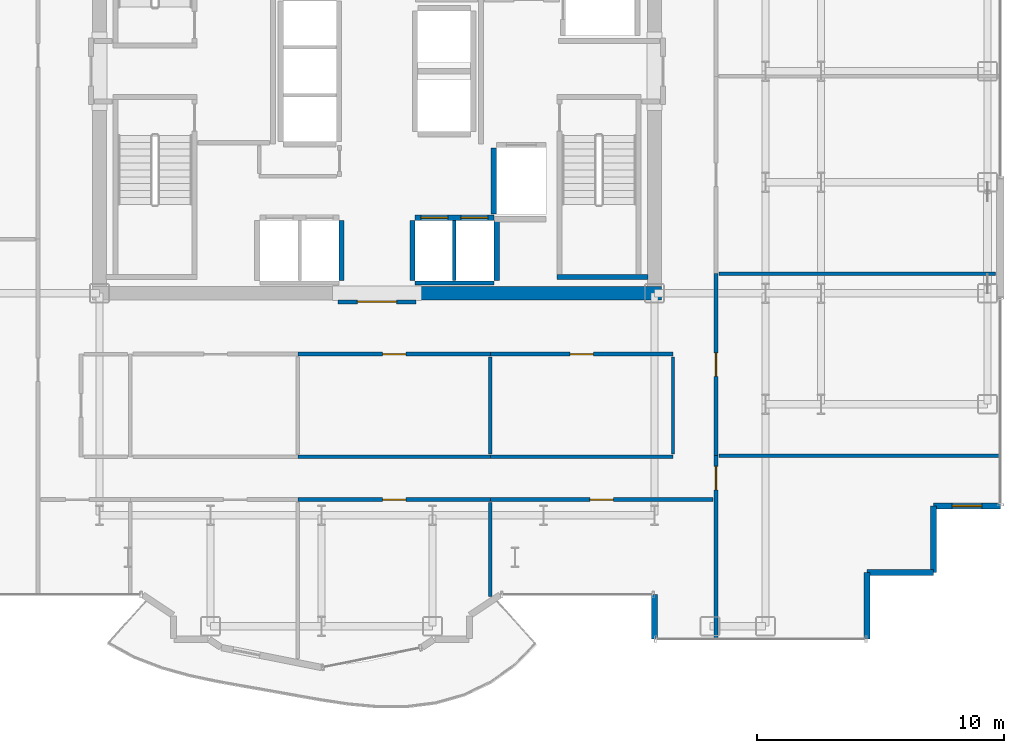
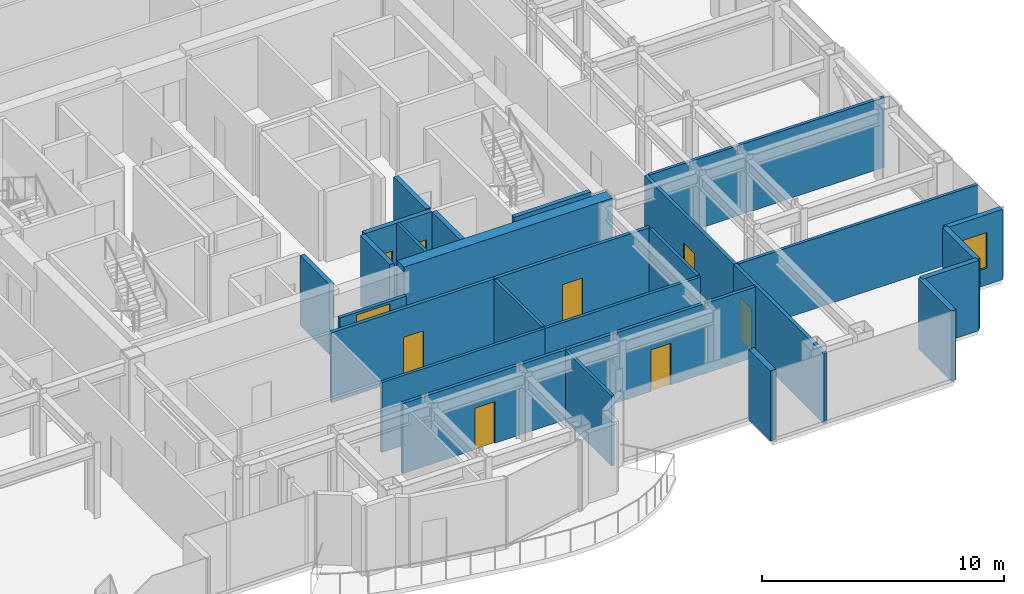
# One storey, part 20 of 25: 28 walls, 9 doors, 1 window, 10 openings.
"""IFC4 building model written with IfcOpenShell, lengths in metres."""

from ifc_helpers import new_model, si_unit, direction, frame, frame_2d, origin, place, context, subcontext, project, spatial, rectangle, extrude, source, transform, mapped, material, layer, layer_set, type_object, element, fill, save


model = new_model("IFC4")

# Units and contexts
model_context = context("Model", 3, precision=1e-05, world=origin(), true_north=direction((0.0, 1.0)))
body_context = subcontext(model_context, "Body", "Model", "MODEL_VIEW")
ifc_project = project(units=[si_unit("LENGTHUNIT", "METRE"), si_unit("AREAUNIT", "SQUARE_METRE"), si_unit("VOLUMEUNIT", "CUBIC_METRE"), si_unit("PLANEANGLEUNIT", "RADIAN"), si_unit("MASSUNIT", "GRAM", prefix="KILO")], contexts=[model_context])

# Site, building, storey
site_placement = place(None, origin())
site = spatial("IfcSite", under=ifc_project, at=site_placement, CompositionType="ELEMENT")
building_placement = place(site_placement, origin())
building = spatial("IfcBuilding", under=site, at=building_placement, Name="Nefas-Gora Pilgrimage Tower", CompositionType="ELEMENT")
storey_placement = place(building_placement, frame((0.0, 0.0, 194.39990234375)))
storey = spatial("IfcBuildingStorey", under=building, at=storey_placement, Name="L48", CompositionType="ELEMENT", Elevation=194.39990234375)

# Walls
ifc_material_1 = material(Name="Concrete C60/75", Category="concrete")
ifc_layer_1 = layer(ifc_material_1, 0.550048828125)
ifc_layer_set_1 = layer_set([ifc_layer_1], Name="Concrete C60/75")
wall_type_1 = type_object("IfcWallType", Name="SW-CORE-550", PredefinedType="SHEAR", material=ifc_layer_set_1)
shared_shape_1 = source(origin(), body_context, "Body", "SweptSolid", [
    extrude(rectangle(XDim=9.974853515625, YDim=0.550048828125, at=frame_2d((4.9873046875, 0.0))), origin(), (0.0, 0.0, 1.0), 3.800048828125),
])
wall_1_placement = place(storey_placement, frame((1.550048828125, -9.0, 0.0), z_axis=(0.0, 0.0, 1.0), x_axis=(1.0, 0.0, 0.0)))
element("IfcWall", 1, at=wall_1_placement, inside=storey, type_object=wall_type_1, Name="L48 Core Shear Wall S-East", PredefinedType="SHEAR", context=body_context, shape_type="MappedRepresentation", body=[
    mapped(shared_shape_1, transform((0.0, 0.0, 0.0), x_axis=(1.0, 0.0, 0.0), y_axis=(0.0, 1.0, 0.0), z_axis=(0.0, 0.0, 1.0), scale=1.0)),
])
ifc_material_2 = material(Name="Precast concrete C40/50", Category="concrete")
ifc_layer_2 = layer(ifc_material_2, 0.260009765625)
ifc_layer_set_2 = layer_set([ifc_layer_2], Name="Precast concrete C40/50")
wall_type_2 = type_object("IfcWallType", Name="EW-PORTAL-260", PredefinedType="SOLIDWALL", material=ifc_layer_set_2)
shared_shape_2 = source(origin(), body_context, "Body", "SweptSolid", [
    extrude(rectangle(XDim=1.800048828125, YDim=0.260009765625, at=frame_2d((0.89990234375, 0.0))), origin(), (0.0, 0.0, 1.0), 3.550048828125),
])
wall_2_placement = place(storey_placement, frame((11.25, -21.219970703125, 0.0), z_axis=(0.0, 0.0, 1.0), x_axis=(0.0, -1.0, 0.0)))
element("IfcWall", 2, at=wall_2_placement, inside=storey, type_object=wall_type_2, Name="L48 Lobe Shoulder Precast Spandrel Pier 5", PredefinedType="SOLIDWALL", context=body_context, shape_type="MappedRepresentation", body=[
    mapped(shared_shape_2, transform((0.0, 0.0, 0.0), x_axis=(1.0, 0.0, 0.0), y_axis=(0.0, 1.0, 0.0), z_axis=(0.0, 0.0, 1.0), scale=1.0)),
])
ifc_material_3 = material(Name="Precast concrete C45/55", Category="concrete")
ifc_layer_3 = layer(ifc_material_3, 0.239990234375)
ifc_layer_set_3 = layer_set([ifc_layer_3], Name="Precast concrete C45/55")
wall_type_3 = type_object("IfcWallType", Name="EW-SERR-240", PredefinedType="SHEAR", material=ifc_layer_set_3)
shared_shape_3 = source(origin(), body_context, "Body", "SweptSolid", [
    extrude(rectangle(XDim=2.699951171875, YDim=0.239990234375, at=frame_2d((1.35009765625, 0.0))), origin(), (0.0, 0.0, 1.0), 3.550048828125),
])
for number, where, z_axis, x_axis, name in (
    (3, (19.8701171875, -23.02001953125, 0.0), (0.0, 0.0, 1.0), (0.0, 1.0, 0.0), "L48 Serrated Corner Shear Pier Wall 6"),
    (4, (19.8701171875, -20.320068359375, 0.0), (0.0, 0.0, 1.0), (1.0, 0.0, 0.0), "L48 Serrated Corner Shear Pier Wall 7"),
    (5, (22.570068359375, -20.320068359375, 0.0), (0.0, 0.0, 1.0), (0.0, 1.0, 0.0), "L48 Serrated Corner Shear Pier Wall 8"),
):
    element("IfcWall", number, at=place(storey_placement, frame(where, z_axis=z_axis, x_axis=x_axis)), inside=storey, type_object=wall_type_3, Name=name, PredefinedType="SHEAR", context=body_context, shape_type="MappedRepresentation", body=[
        mapped(shared_shape_3, transform((0.0, 0.0, 0.0), x_axis=(1.0, 0.0, 0.0), y_axis=(0.0, 1.0, 0.0), z_axis=(0.0, 0.0, 1.0), scale=1.0)),
    ])

# Wall, opening, window
wall_3_placement = place(storey_placement, frame((22.570068359375, -17.6201171875, 0.0), z_axis=(0.0, 0.0, 1.0), x_axis=(1.0, 0.0, 0.0)))
wall_3 = element("IfcWall", 6, at=wall_3_placement, inside=storey, type_object=wall_type_3, Name="L48 Serrated Corner Shear Pier Wall 9", PredefinedType="SHEAR", context=body_context, shape_type="MappedRepresentation", body=[
    mapped(shared_shape_3, transform((0.0, 0.0, 0.0), x_axis=(1.0, 0.0, 0.0), y_axis=(0.0, 1.0, 0.0), z_axis=(0.0, 0.0, 1.0), scale=1.0)),
])
opening_1_placement = place(wall_3_placement, frame((0.75, 0.0, 0.85009765625)))
opening_1 = element("IfcOpeningElement", 7, at=opening_1_placement, cuts=wall_3, Name="Opening W-V1", PredefinedType="OPENING", context=body_context, shape_type="SweptSolid", body=[
    extrude(rectangle(XDim=1.199951171875, YDim=1.800048828125, at=frame_2d((0.60009765625, 0.89990234375))), frame((0.0, 0.1298828125, 0.0), z_axis=(0.0, -1.0, 0.0), x_axis=(1.0, 0.0, 0.0)), (0.0, 0.0, 1.0), 0.260009765625),
])
ifc_material_4 = material(Name="Dark ceramic-fritted operable aluminium-glass window", Category="aluminium")
window_type = type_object("IfcWindowType", Name="WIN-VENT-1200x1800", PartitioningType="SINGLE_PANEL", PredefinedType="WINDOW", material=ifc_material_4)
shared_shape_4 = source(origin(), body_context, "Body", "SweptSolid", [
    extrude(rectangle(XDim=1.199951171875, YDim=1.800048828125, at=frame_2d((0.60009765625, 0.89990234375))), frame((0.0, 0.030029296875, 0.0), z_axis=(0.0, -1.0, 0.0), x_axis=(1.0, 0.0, 0.0)), (0.0, 0.0, 1.0), 0.06005859375),
])
window_placement = place(opening_1_placement, origin())
window = element("IfcWindow", 8, at=window_placement, inside=storey, type_object=window_type, Name="L48 Operable Parallel-Outswing Window 9", OverallHeight=1.800048828125, OverallWidth=1.199951171875, PartitioningType="SINGLE_PANEL", PredefinedType="WINDOW", context=body_context, shape_type="MappedRepresentation", body=[
    mapped(shared_shape_4, transform((0.0, 0.0, 0.0), x_axis=(1.0, 0.0, 0.0), y_axis=(0.0, 1.0, 0.0), z_axis=(0.0, 0.0, 1.0), scale=1.0)),
])
fill(opening_1, window)

# Walls
ifc_material_5 = material(Name="Concrete C45/55", Category="concrete")
ifc_layer_4 = layer(ifc_material_5, 0.199951171875)
ifc_layer_set_4 = layer_set([ifc_layer_4], Name="Concrete C45/55")
wall_type_4 = type_object("IfcWallType", Name="IW-STAIR-200", PredefinedType="SOLIDWALL", material=ifc_layer_set_4)
shared_shape_5 = source(origin(), body_context, "Body", "SweptSolid", [
    extrude(rectangle(XDim=3.679931640625, YDim=0.199951171875, at=frame_2d((1.83984375, 0.0))), origin(), (0.0, 0.0, 1.0), 3.800048828125),
])
wall_4_placement = place(storey_placement, frame((7.300048828125, -8.35009765625, 0.0), z_axis=(0.0, 0.0, 1.0), x_axis=(1.0, 0.0, 0.0)))
element("IfcWall", 9, at=wall_4_placement, inside=storey, type_object=wall_type_4, Name="L48 Stairwell Shear Wall ST-02-far", PredefinedType="SOLIDWALL", context=body_context, shape_type="MappedRepresentation", body=[
    mapped(shared_shape_5, transform((0.0, 0.0, 0.0), x_axis=(1.0, 0.0, 0.0), y_axis=(0.0, 1.0, 0.0), z_axis=(0.0, 0.0, 1.0), scale=1.0)),
])
ifc_material_6 = material(Name="Gypsum acoustic stud partition")
ifc_layer_5 = layer(ifc_material_6, 0.159912109375)
ifc_layer_set_5 = layer_set([ifc_layer_5], Name="Gypsum acoustic stud partition")
wall_type_5 = type_object("IfcWallType", Name="IW-CORR-160", PredefinedType="PARTITIONING", material=ifc_layer_set_5)
shared_shape_6 = source(origin(), body_context, "Body", "SweptSolid", [
    extrude(rectangle(XDim=3.199951171875, YDim=0.159912109375, at=frame_2d((1.60009765625, 0.0))), origin(), (0.0, 0.0, 1.0), 2.425048828125),
])
wall_5_placement = place(storey_placement, frame((1.550048828125, -8.580078125, 0.0), z_axis=(0.0, 0.0, 1.0), x_axis=(1.0, 0.0, 0.0)))
element("IfcWall", 10, at=wall_5_placement, inside=storey, type_object=wall_type_5, Name="L48 Hoistway Wall PL2-E-S", PredefinedType="PARTITIONING", context=body_context, shape_type="MappedRepresentation", body=[
    mapped(shared_shape_6, transform((0.0, 0.0, 0.0), x_axis=(1.0, 0.0, 0.0), y_axis=(0.0, 1.0, 0.0), z_axis=(0.0, 0.0, 1.0), scale=1.0)),
])
ifc_material_7 = material(Name="Concrete C40/50", Category="concrete")
ifc_layer_6 = layer(ifc_material_7, 0.219970703125)
ifc_layer_set_6 = layer_set([ifc_layer_6], Name="Concrete C40/50")
wall_type_6 = type_object("IfcWallType", Name="IW-SHAFT-220", PredefinedType="SOLIDWALL", material=ifc_layer_set_6)
shared_shape_7 = source(origin(), body_context, "Body", "SweptSolid", [
    extrude(rectangle(XDim=2.679931640625, YDim=0.219970703125, at=frame_2d((1.33984375, 0.0))), origin(), (0.0, 0.0, 1.0), 3.53515625),
])
wall_6_placement = place(storey_placement, frame((4.739990234375, -3.110107421875, 0.0), z_axis=(0.0, 0.0, 1.0), x_axis=(0.0, -1.0, 0.0)))
element("IfcWall", 11, at=wall_6_placement, inside=storey, type_object=wall_type_6, Name="L48 Hoistway Wall FFL-02-W", PredefinedType="SOLIDWALL", context=body_context, shape_type="MappedRepresentation", body=[
    mapped(shared_shape_7, transform((0.0, 0.0, 0.0), x_axis=(1.0, 0.0, 0.0), y_axis=(0.0, 1.0, 0.0), z_axis=(0.0, 0.0, 1.0), scale=1.0)),
])

# Wall, openings, doors
shared_shape_8 = source(origin(), body_context, "Body", "SweptSolid", [
    extrude(rectangle(XDim=3.199951171875, YDim=0.219970703125, at=frame_2d((1.60009765625, 0.0))), origin(), (0.0, 0.0, 1.0), 3.53515625),
])
wall_7_placement = place(storey_placement, frame((4.75, -5.93994140625, 0.0), z_axis=(0.0, 0.0, 1.0), x_axis=(-1.0, 0.0, 0.0)))
wall_7 = element("IfcWall", 12, at=wall_7_placement, inside=storey, type_object=wall_type_6, Name="L48 Hoistway Wall PL2-E-N", PredefinedType="SOLIDWALL", context=body_context, shape_type="MappedRepresentation", body=[
    mapped(shared_shape_8, transform((0.0, 0.0, 0.0), x_axis=(1.0, 0.0, 0.0), y_axis=(0.0, 1.0, 0.0), z_axis=(0.0, 0.0, 1.0), scale=1.0)),
])
opening_2_placement = place(wall_7_placement, frame((1.875, 0.0, 0.0)))
opening_2 = element("IfcOpeningElement", 13, at=opening_2_placement, cuts=wall_7, Name="Opening LD-01", PredefinedType="OPENING", context=body_context, shape_type="SweptSolid", body=[
    extrude(rectangle(XDim=1.10009765625, YDim=2.199951171875, at=frame_2d((0.550048828125, 1.10009765625))), frame((0.0, 0.119873046875, 0.0), z_axis=(0.0, -1.0, 0.0), x_axis=(1.0, 0.0, 0.0)), (0.0, 0.0, 1.0), 0.239990234375),
])
opening_3_placement = place(wall_7_placement, frame((0.25, 0.0, 0.0)))
opening_3 = element("IfcOpeningElement", 14, at=opening_3_placement, cuts=wall_7, Name="Opening LD-01", PredefinedType="OPENING", context=body_context, shape_type="SweptSolid", body=[
    extrude(rectangle(XDim=1.10009765625, YDim=2.199951171875, at=frame_2d((0.550048828125, 1.10009765625))), frame((0.0, 0.119873046875, 0.0), z_axis=(0.0, -1.0, 0.0), x_axis=(1.0, 0.0, 0.0)), (0.0, 0.0, 1.0), 0.239990234375),
])
ifc_material_8 = material(Name="Brushed stainless sliding lift landing door")
door_type_1 = type_object("IfcDoorType", Name="DR-LIFT-PASS-1100", OperationType="DOUBLE_DOOR_SLIDING", PredefinedType="DOOR", material=ifc_material_8)
shared_shape_9 = source(origin(), body_context, "Body", "SweptSolid", [
    extrude(rectangle(XDim=1.10009765625, YDim=2.199951171875, at=frame_2d((0.550048828125, 1.10009765625))), frame((0.0, 0.02490234375, 0.0), z_axis=(0.0, -1.0, 0.0), x_axis=(1.0, 0.0, 0.0)), (0.0, 0.0, 1.0), 0.050048828125),
])
door_1_placement = place(opening_2_placement, origin())
door_1 = element("IfcDoor", 15, at=door_1_placement, inside=storey, type_object=door_type_1, Name="L48 Sliding Lift Landing Door PL2-03", OperationType="DOUBLE_DOOR_SLIDING", OverallHeight=2.199951171875, OverallWidth=1.10009765625, PredefinedType="DOOR", context=body_context, shape_type="MappedRepresentation", body=[
    mapped(shared_shape_9, transform((0.0, 0.0, 0.0), x_axis=(1.0, 0.0, 0.0), y_axis=(0.0, 1.0, 0.0), z_axis=(0.0, 0.0, 1.0), scale=1.0)),
])
fill(opening_2, door_1)
door_2_placement = place(opening_3_placement, origin())
door_2 = element("IfcDoor", 16, at=door_2_placement, inside=storey, type_object=door_type_1, Name="L48 Sliding Lift Landing Door PL2-04", OperationType="DOUBLE_DOOR_SLIDING", OverallHeight=2.199951171875, OverallWidth=1.10009765625, PredefinedType="DOOR", context=body_context, shape_type="MappedRepresentation", body=[
    mapped(shared_shape_9, transform((0.0, 0.0, 0.0), x_axis=(1.0, 0.0, 0.0), y_axis=(0.0, 1.0, 0.0), z_axis=(0.0, 0.0, 1.0), scale=1.0)),
])
fill(opening_3, door_2)

# Walls
shared_shape_10 = source(origin(), body_context, "Body", "SweptSolid", [
    extrude(rectangle(XDim=2.429931640625, YDim=0.219970703125, at=frame_2d((1.21484375, 0.0))), origin(), (0.0, 0.0, 1.0), 3.53515625),
])
for number, where, z_axis, x_axis, name in (
    (17, (-1.43994140625, -8.489990234375, 0.0), (0.0, 0.0, 1.0), (0.0, 1.0, 0.0), "L48 Hoistway Wall PL2-W-E"),
    (18, (1.43994140625, -6.06005859375, 0.0), (0.0, 0.0, 1.0), (0.0, -1.0, 0.0), "L48 Hoistway Wall PL2-E-W"),
    (19, (4.860107421875, -8.489990234375, 0.0), (0.0, 0.0, 1.0), (0.0, 1.0, 0.0), "L48 Hoistway Wall PL2-E-E"),
):
    element("IfcWall", number, at=place(storey_placement, frame(where, z_axis=z_axis, x_axis=x_axis)), inside=storey, type_object=wall_type_6, Name=name, PredefinedType="SOLIDWALL", context=body_context, shape_type="MappedRepresentation", body=[
        mapped(shared_shape_10, transform((0.0, 0.0, 0.0), x_axis=(1.0, 0.0, 0.0), y_axis=(0.0, 1.0, 0.0), z_axis=(0.0, 0.0, 1.0), scale=1.0)),
    ])
ifc_material_9 = material(Name="Gypsum twin-stud partition")
ifc_layer_7 = layer(ifc_material_9, 0.139892578125)
ifc_layer_set_7 = layer_set([ifc_layer_7], Name="Gypsum twin-stud partition")
wall_type_7 = type_object("IfcWallType", Name="IW-UNIT-140", PredefinedType="PARTITIONING", material=ifc_layer_set_7)
shared_shape_11 = source(origin(), body_context, "Body", "SweptSolid", [
    extrude(rectangle(XDim=2.429931640625, YDim=0.139892578125, at=frame_2d((1.21484375, 0.0))), origin(), (0.0, 0.0, 1.0), 3.53515625),
])
wall_8_placement = place(storey_placement, frame((3.125, -8.489990234375, 0.0), z_axis=(0.0, 0.0, 1.0), x_axis=(0.0, 1.0, 0.0)))
element("IfcWall", 20, at=wall_8_placement, inside=storey, type_object=wall_type_7, Name="L48 Hoistway Wall PL2-E-DIV", PredefinedType="PARTITIONING", context=body_context, shape_type="MappedRepresentation", body=[
    mapped(shared_shape_11, transform((0.0, 0.0, 0.0), x_axis=(1.0, 0.0, 0.0), y_axis=(0.0, 1.0, 0.0), z_axis=(0.0, 0.0, 1.0), scale=1.0)),
])

# Wall, opening, door
shared_shape_12 = source(origin(), body_context, "Body", "SweptSolid", [
    extrude(rectangle(XDim=3.16015625, YDim=0.159912109375, at=frame_2d((1.580078125, 0.0))), origin(), (0.0, 0.0, 1.0), 2.425048828125),
])
wall_9_placement = place(storey_placement, frame((-1.580078125, -9.35009765625, 0.0), z_axis=(0.0, 0.0, 1.0), x_axis=(1.0, 0.0, 0.0)))
wall_9 = element("IfcWall", 21, at=wall_9_placement, inside=storey, type_object=wall_type_5, Name="L48 Central Lift Lobby South Portal Wall 16", PredefinedType="PARTITIONING", context=body_context, shape_type="MappedRepresentation", body=[
    mapped(shared_shape_12, transform((0.0, 0.0, 0.0), x_axis=(1.0, 0.0, 0.0), y_axis=(0.0, 1.0, 0.0), z_axis=(0.0, 0.0, 1.0), scale=1.0)),
])
opening_4_placement = place(wall_9_placement, frame((0.780029296875, 0.0, 0.0)))
opening_4 = element("IfcOpeningElement", 22, at=opening_4_placement, cuts=wall_9, Name="Opening ID-HL1", PredefinedType="OPENING", context=body_context, shape_type="SweptSolid", body=[
    extrude(rectangle(XDim=1.60009765625, YDim=2.300048828125, at=frame_2d((0.800048828125, 1.14990234375))), frame((0.0, 0.08984375, 0.0), z_axis=(0.0, -1.0, 0.0), x_axis=(1.0, 0.0, 0.0)), (0.0, 0.0, 1.0), 0.179931640625),
])
ifc_material_10 = material(Name="Double acoustic timber assembly hall door", Category="wood")
door_type_2 = type_object("IfcDoorType", Name="DR-INT-HALL-1600", OperationType="DOUBLE_DOOR_SINGLE_SWING", PredefinedType="DOOR", material=ifc_material_10)
shared_shape_13 = source(origin(), body_context, "Body", "SweptSolid", [
    extrude(rectangle(XDim=1.60009765625, YDim=2.300048828125, at=frame_2d((0.800048828125, 1.14990234375))), frame((0.0, 0.02490234375, 0.0), z_axis=(0.0, -1.0, 0.0), x_axis=(1.0, 0.0, 0.0)), (0.0, 0.0, 1.0), 0.050048828125),
])
door_3_placement = place(opening_4_placement, origin())
door_3 = element("IfcDoor", 23, at=door_3_placement, inside=storey, type_object=door_type_2, Name="L48 Central Lift Lobby South Portal Door 6", OperationType="DOUBLE_DOOR_SINGLE_SWING", OverallHeight=2.300048828125, OverallWidth=1.60009765625, PredefinedType="DOOR", context=body_context, shape_type="MappedRepresentation", body=[
    mapped(shared_shape_13, transform((0.0, 0.0, 0.0), x_axis=(1.0, 0.0, 0.0), y_axis=(0.0, 1.0, 0.0), z_axis=(0.0, 0.0, 1.0), scale=1.0)),
])
fill(opening_4, door_3)

# Walls
shared_shape_14 = source(origin(), body_context, "Body", "SweptSolid", [
    extrude(rectangle(XDim=11.429931640625, YDim=0.139892578125, at=frame_2d((5.71484375, 0.0))), origin(), (0.0, 0.0, 1.0), 3.53515625),
])
wall_10_placement = place(storey_placement, frame((13.860107421875, -15.597412109375, 0.0), z_axis=(0.0, 0.0, 1.0), x_axis=(1.0, 0.0, 0.0)))
element("IfcWall", 24, at=wall_10_placement, inside=storey, type_object=wall_type_7, Name="L48 Pilgrim Tea and Beverage Pantry Partition Wall 34", PredefinedType="PARTITIONING", context=body_context, shape_type="MappedRepresentation", body=[
    mapped(shared_shape_14, transform((0.0, 0.0, 0.0), x_axis=(1.0, 0.0, 0.0), y_axis=(0.0, 1.0, 0.0), z_axis=(0.0, 0.0, 1.0), scale=1.0)),
])
shared_shape_15 = source(origin(), body_context, "Body", "SweptSolid", [
    extrude(rectangle(XDim=3.929931640625, YDim=0.139892578125, at=frame_2d((1.96484375, 0.0))), origin(), (0.0, 0.0, 1.0), 3.53515625),
])
for number, where, z_axis, x_axis, name in (
    (25, (4.594970703125, -15.52001953125, 0.0), (0.0, 0.0, 1.0), (0.0, 1.0, 0.0), "L48 Pilgrim Contemplative Lounge Partition Wall 70"),
    (26, (12.0, -15.52001953125, 0.0), (0.0, 0.0, 1.0), (0.0, 1.0, 0.0), "L48 Pilgrim Contemplative Lounge Partition Wall 74"),
):
    element("IfcWall", number, at=place(storey_placement, frame(where, z_axis=z_axis, x_axis=x_axis)), inside=storey, type_object=wall_type_7, Name=name, PredefinedType="PARTITIONING", context=body_context, shape_type="MappedRepresentation", body=[
        mapped(shared_shape_15, transform((0.0, 0.0, 0.0), x_axis=(1.0, 0.0, 0.0), y_axis=(0.0, 1.0, 0.0), z_axis=(0.0, 0.0, 1.0), scale=1.0)),
    ])
shared_shape_16 = source(origin(), body_context, "Body", "SweptSolid", [
    extrude(rectangle(XDim=11.219970703125, YDim=0.139892578125, at=frame_2d((5.60986328125, 0.0))), origin(), (0.0, 0.0, 1.0), 3.53515625),
])
wall_11_placement = place(storey_placement, frame((13.860107421875, -8.205078125, 0.0), z_axis=(0.0, 0.0, 1.0), x_axis=(1.0, 0.0, 0.0)))
element("IfcWall", 27, at=wall_11_placement, inside=storey, type_object=wall_type_7, Name="L48 Pilgrim Fellowship Seminar Room Partition Wall 36", PredefinedType="PARTITIONING", context=body_context, shape_type="MappedRepresentation", body=[
    mapped(shared_shape_16, transform((0.0, 0.0, 0.0), x_axis=(1.0, 0.0, 0.0), y_axis=(0.0, 1.0, 0.0), z_axis=(0.0, 0.0, 1.0), scale=1.0)),
])

# Wall, opening, door
shared_shape_17 = source(origin(), body_context, "Body", "SweptSolid", [
    extrude(rectangle(XDim=7.45263671875, YDim=0.159912109375, at=frame_2d((3.726318359375, 0.0))), origin(), (0.0, 0.0, 1.0), 3.53515625),
])
wall_12_placement = place(storey_placement, frame((13.739990234375, -23.0400390625, 0.0), z_axis=(0.0, 0.0, 1.0), x_axis=(0.0, 1.0, 0.0)))
wall_12 = element("IfcWall", 28, at=wall_12_placement, inside=storey, type_object=wall_type_5, Name="L48 Pilgrim Tea and Beverage Pantry Partition Wall 33", PredefinedType="PARTITIONING", context=body_context, shape_type="MappedRepresentation", body=[
    mapped(shared_shape_17, transform((0.0, 0.0, 0.0), x_axis=(1.0, 0.0, 0.0), y_axis=(0.0, 1.0, 0.0), z_axis=(0.0, 0.0, 1.0), scale=1.0)),
])
opening_5_placement = place(wall_12_placement, frame((6.066162109375, 0.0, 0.0)))
opening_5 = element("IfcOpeningElement", 29, at=opening_5_placement, cuts=wall_12, Name="Opening ID-GR1", PredefinedType="OPENING", context=body_context, shape_type="SweptSolid", body=[
    extrude(rectangle(XDim=0.949951171875, YDim=2.10009765625, at=frame_2d((0.47509765625, 1.050048828125))), frame((0.0, 0.08984375, 0.0), z_axis=(0.0, -1.0, 0.0), x_axis=(1.0, 0.0, 0.0)), (0.0, 0.0, 1.0), 0.179931640625),
])
ifc_material_11 = material(Name="Solid core oak fire-rated guest entrance door")
door_type_3 = type_object("IfcDoorType", Name="DR-INT-GUEST-950", OperationType="NOTDEFINED", PredefinedType="DOOR", material=ifc_material_11)
shared_shape_18 = source(origin(), body_context, "Body", "SweptSolid", [
    extrude(rectangle(XDim=0.949951171875, YDim=2.10009765625, at=frame_2d((0.47509765625, 1.050048828125))), frame((0.0, 0.02490234375, 0.0), z_axis=(0.0, -1.0, 0.0), x_axis=(1.0, 0.0, 0.0)), (0.0, 0.0, 1.0), 0.050048828125),
])
door_4_placement = place(opening_5_placement, origin())
door_4 = element("IfcDoor", 30, at=door_4_placement, inside=storey, type_object=door_type_3, Name="L48 Pilgrim Tea and Beverage Pantry Door 14", OperationType="SINGLE_SWING_LEFT", OverallHeight=2.10009765625, OverallWidth=0.949951171875, PredefinedType="DOOR", context=body_context, shape_type="MappedRepresentation", body=[
    mapped(shared_shape_18, transform((0.0, 0.0, 0.0), x_axis=(1.0, 0.0, 0.0), y_axis=(0.0, 1.0, 0.0), z_axis=(0.0, 0.0, 1.0), scale=1.0)),
])
fill(opening_5, door_4)

shared_shape_19 = source(origin(), body_context, "Body", "SweptSolid", [
    extrude(rectangle(XDim=7.392333984375, YDim=0.159912109375, at=frame_2d((3.6962890625, 0.0))), origin(), (0.0, 0.0, 1.0), 3.53515625),
])
wall_13_placement = place(storey_placement, frame((13.739990234375, -15.58740234375, 0.0), z_axis=(0.0, 0.0, 1.0), x_axis=(0.0, 1.0, 0.0)))
wall_13 = element("IfcWall", 31, at=wall_13_placement, inside=storey, type_object=wall_type_5, Name="L48 Pilgrim Fellowship Seminar Room Partition Wall 35", PredefinedType="PARTITIONING", context=body_context, shape_type="MappedRepresentation", body=[
    mapped(shared_shape_19, transform((0.0, 0.0, 0.0), x_axis=(1.0, 0.0, 0.0), y_axis=(0.0, 1.0, 0.0), z_axis=(0.0, 0.0, 1.0), scale=1.0)),
])
opening_6_placement = place(wall_13_placement, frame((3.22119140625, 0.0, 0.0)))
opening_6 = element("IfcOpeningElement", 32, at=opening_6_placement, cuts=wall_13, Name="Opening ID-GR1", PredefinedType="OPENING", context=body_context, shape_type="SweptSolid", body=[
    extrude(rectangle(XDim=0.949951171875, YDim=2.10009765625, at=frame_2d((0.47509765625, 1.050048828125))), frame((0.0, 0.08984375, 0.0), z_axis=(0.0, -1.0, 0.0), x_axis=(1.0, 0.0, 0.0)), (0.0, 0.0, 1.0), 0.179931640625),
])
door_5_placement = place(opening_6_placement, origin())
door_5 = element("IfcDoor", 33, at=door_5_placement, inside=storey, type_object=door_type_3, Name="L48 Pilgrim Fellowship Seminar Room Door 15", OperationType="SINGLE_SWING_RIGHT", OverallHeight=2.10009765625, OverallWidth=0.949951171875, PredefinedType="DOOR", context=body_context, shape_type="MappedRepresentation", body=[
    mapped(shared_shape_18, transform((0.0, 0.0, 0.0), x_axis=(1.0, 0.0, 0.0), y_axis=(0.0, 1.0, 0.0), z_axis=(0.0, 0.0, 1.0), scale=1.0)),
])
fill(opening_6, door_5)

shared_shape_20 = source(origin(), body_context, "Body", "SweptSolid", [
    extrude(rectangle(XDim=7.81005859375, YDim=0.159912109375, at=frame_2d((3.905029296875, 0.0))), origin(), (0.0, 0.0, 1.0), 3.53515625),
])
wall_14_placement = place(storey_placement, frame((-3.205078125, -17.3701171875, 0.0), z_axis=(0.0, 0.0, 1.0), x_axis=(1.0, 0.0, 0.0)))
wall_14 = element("IfcWall", 34, at=wall_14_placement, inside=storey, type_object=wall_type_5, Name="L48 Pilgrim Contemplative Lounge Partition Wall 66", PredefinedType="PARTITIONING", context=body_context, shape_type="MappedRepresentation", body=[
    mapped(shared_shape_20, transform((0.0, 0.0, 0.0), x_axis=(1.0, 0.0, 0.0), y_axis=(0.0, 1.0, 0.0), z_axis=(0.0, 0.0, 1.0), scale=1.0)),
])
opening_7_placement = place(wall_14_placement, frame((3.429931640625, 0.0, 0.0)))
opening_7 = element("IfcOpeningElement", 35, at=opening_7_placement, cuts=wall_14, Name="Opening ID-GR1", PredefinedType="OPENING", context=body_context, shape_type="SweptSolid", body=[
    extrude(rectangle(XDim=0.949951171875, YDim=2.10009765625, at=frame_2d((0.47509765625, 1.050048828125))), frame((0.0, 0.08984375, 0.0), z_axis=(0.0, -1.0, 0.0), x_axis=(1.0, 0.0, 0.0)), (0.0, 0.0, 1.0), 0.179931640625),
])
door_6_placement = place(opening_7_placement, origin())
door_6 = element("IfcDoor", 36, at=door_6_placement, inside=storey, type_object=door_type_3, Name="L48 Pilgrim Contemplative Lounge Door 29", OperationType="SINGLE_SWING_RIGHT", OverallHeight=2.10009765625, OverallWidth=0.949951171875, PredefinedType="DOOR", context=body_context, shape_type="MappedRepresentation", body=[
    mapped(shared_shape_18, transform((0.0, 0.0, 0.0), x_axis=(1.0, 0.0, 0.0), y_axis=(0.0, 1.0, 0.0), z_axis=(0.0, 0.0, 1.0), scale=1.0)),
])
fill(opening_7, door_6)

wall_15_placement = place(storey_placement, frame((-3.205078125, -11.469970703125, 0.0), z_axis=(0.0, 0.0, 1.0), x_axis=(1.0, 0.0, 0.0)))
wall_15 = element("IfcWall", 37, at=wall_15_placement, inside=storey, type_object=wall_type_5, Name="L48 Pilgrim Contemplative Lounge Partition Wall 68", PredefinedType="PARTITIONING", context=body_context, shape_type="MappedRepresentation", body=[
    mapped(shared_shape_20, transform((0.0, 0.0, 0.0), x_axis=(1.0, 0.0, 0.0), y_axis=(0.0, 1.0, 0.0), z_axis=(0.0, 0.0, 1.0), scale=1.0)),
])
opening_8_placement = place(wall_15_placement, frame((3.429931640625, 0.0, 0.0)))
opening_8 = element("IfcOpeningElement", 38, at=opening_8_placement, cuts=wall_15, Name="Opening ID-GR1", PredefinedType="OPENING", context=body_context, shape_type="SweptSolid", body=[
    extrude(rectangle(XDim=0.949951171875, YDim=2.10009765625, at=frame_2d((0.47509765625, 1.050048828125))), frame((0.0, 0.08984375, 0.0), z_axis=(0.0, -1.0, 0.0), x_axis=(1.0, 0.0, 0.0)), (0.0, 0.0, 1.0), 0.179931640625),
])
door_7_placement = place(opening_8_placement, origin())
door_7 = element("IfcDoor", 39, at=door_7_placement, inside=storey, type_object=door_type_3, Name="L48 Pilgrim Contemplative Lounge Door 30", OperationType="SINGLE_SWING_LEFT", OverallHeight=2.10009765625, OverallWidth=0.949951171875, PredefinedType="DOOR", context=body_context, shape_type="MappedRepresentation", body=[
    mapped(shared_shape_18, transform((0.0, 0.0, 0.0), x_axis=(1.0, 0.0, 0.0), y_axis=(0.0, 1.0, 0.0), z_axis=(0.0, 0.0, 1.0), scale=1.0)),
])
fill(opening_8, door_7)

# Walls
shared_shape_21 = source(origin(), body_context, "Body", "SweptSolid", [
    extrude(rectangle(XDim=3.810546875, YDim=0.139892578125, at=frame_2d((1.9052734375, 0.0))), origin(), (0.0, 0.0, 1.0), 3.53515625),
])
wall_16_placement = place(storey_placement, frame((4.594970703125, -21.300537109375, 0.0), z_axis=(0.0, 0.0, 1.0), x_axis=(0.0, 1.0, 0.0)))
element("IfcWall", 40, at=wall_16_placement, inside=storey, type_object=wall_type_7, Name="L48 Pilgrim Contemplative Lounge Partition Wall 67", PredefinedType="PARTITIONING", context=body_context, shape_type="MappedRepresentation", body=[
    mapped(shared_shape_21, transform((0.0, 0.0, 0.0), x_axis=(1.0, 0.0, 0.0), y_axis=(0.0, 1.0, 0.0), z_axis=(0.0, 0.0, 1.0), scale=1.0)),
])
shared_shape_22 = source(origin(), body_context, "Body", "SweptSolid", [
    extrude(rectangle(XDim=7.81005859375, YDim=0.139892578125, at=frame_2d((3.905029296875, 0.0))), origin(), (0.0, 0.0, 1.0), 3.53515625),
])
wall_17_placement = place(storey_placement, frame((-3.205078125, -15.6298828125, 0.0), z_axis=(0.0, 0.0, 1.0), x_axis=(1.0, 0.0, 0.0)))
element("IfcWall", 41, at=wall_17_placement, inside=storey, type_object=wall_type_7, Name="L48 Pilgrim Contemplative Lounge Partition Wall 69", PredefinedType="PARTITIONING", context=body_context, shape_type="MappedRepresentation", body=[
    mapped(shared_shape_22, transform((0.0, 0.0, 0.0), x_axis=(1.0, 0.0, 0.0), y_axis=(0.0, 1.0, 0.0), z_axis=(0.0, 0.0, 1.0), scale=1.0)),
])

# Wall, opening, door
shared_shape_23 = source(origin(), body_context, "Body", "SweptSolid", [
    extrude(rectangle(XDim=9.025146484375, YDim=0.159912109375, at=frame_2d((4.5126953125, 0.0))), origin(), (0.0, 0.0, 1.0), 3.53515625),
])
wall_18_placement = place(storey_placement, frame((4.594970703125, -17.3701171875, 0.0), z_axis=(0.0, 0.0, 1.0), x_axis=(1.0, 0.0, 0.0)))
wall_18 = element("IfcWall", 42, at=wall_18_placement, inside=storey, type_object=wall_type_5, Name="L48 Pilgrim Contemplative Lounge Partition Wall 71", PredefinedType="PARTITIONING", context=body_context, shape_type="MappedRepresentation", body=[
    mapped(shared_shape_23, transform((0.0, 0.0, 0.0), x_axis=(1.0, 0.0, 0.0), y_axis=(0.0, 1.0, 0.0), z_axis=(0.0, 0.0, 1.0), scale=1.0)),
])
opening_9_placement = place(wall_18_placement, frame((4.03759765625, 0.0, 0.0)))
opening_9 = element("IfcOpeningElement", 43, at=opening_9_placement, cuts=wall_18, Name="Opening ID-GR1", PredefinedType="OPENING", context=body_context, shape_type="SweptSolid", body=[
    extrude(rectangle(XDim=0.949951171875, YDim=2.10009765625, at=frame_2d((0.47509765625, 1.050048828125))), frame((0.0, 0.08984375, 0.0), z_axis=(0.0, -1.0, 0.0), x_axis=(1.0, 0.0, 0.0)), (0.0, 0.0, 1.0), 0.179931640625),
])
door_8_placement = place(opening_9_placement, origin())
door_8 = element("IfcDoor", 44, at=door_8_placement, inside=storey, type_object=door_type_3, Name="L48 Pilgrim Contemplative Lounge Door 31", OperationType="SINGLE_SWING_RIGHT", OverallHeight=2.10009765625, OverallWidth=0.949951171875, PredefinedType="DOOR", context=body_context, shape_type="MappedRepresentation", body=[
    mapped(shared_shape_18, transform((0.0, 0.0, 0.0), x_axis=(1.0, 0.0, 0.0), y_axis=(0.0, 1.0, 0.0), z_axis=(0.0, 0.0, 1.0), scale=1.0)),
])
fill(opening_9, door_8)

shared_shape_24 = source(origin(), body_context, "Body", "SweptSolid", [
    extrude(rectangle(XDim=7.4150390625, YDim=0.159912109375, at=frame_2d((3.70751953125, 0.0))), origin(), (0.0, 0.0, 1.0), 3.53515625),
])
wall_19_placement = place(storey_placement, frame((4.594970703125, -11.469970703125, 0.0), z_axis=(0.0, 0.0, 1.0), x_axis=(1.0, 0.0, 0.0)))
wall_19 = element("IfcWall", 45, at=wall_19_placement, inside=storey, type_object=wall_type_5, Name="L48 Pilgrim Contemplative Lounge Partition Wall 72", PredefinedType="PARTITIONING", context=body_context, shape_type="MappedRepresentation", body=[
    mapped(shared_shape_24, transform((0.0, 0.0, 0.0), x_axis=(1.0, 0.0, 0.0), y_axis=(0.0, 1.0, 0.0), z_axis=(0.0, 0.0, 1.0), scale=1.0)),
])
opening_10_placement = place(wall_19_placement, frame((3.232421875, 0.0, 0.0)))
opening_10 = element("IfcOpeningElement", 46, at=opening_10_placement, cuts=wall_19, Name="Opening ID-GR1", PredefinedType="OPENING", context=body_context, shape_type="SweptSolid", body=[
    extrude(rectangle(XDim=0.949951171875, YDim=2.10009765625, at=frame_2d((0.47509765625, 1.050048828125))), frame((0.0, 0.08984375, 0.0), z_axis=(0.0, -1.0, 0.0), x_axis=(1.0, 0.0, 0.0)), (0.0, 0.0, 1.0), 0.179931640625),
])
door_9_placement = place(opening_10_placement, origin())
door_9 = element("IfcDoor", 47, at=door_9_placement, inside=storey, type_object=door_type_3, Name="L48 Pilgrim Contemplative Lounge Door 32", OperationType="SINGLE_SWING_LEFT", OverallHeight=2.10009765625, OverallWidth=0.949951171875, PredefinedType="DOOR", context=body_context, shape_type="MappedRepresentation", body=[
    mapped(shared_shape_18, transform((0.0, 0.0, 0.0), x_axis=(1.0, 0.0, 0.0), y_axis=(0.0, 1.0, 0.0), z_axis=(0.0, 0.0, 1.0), scale=1.0)),
])
fill(opening_10, door_9)

# Wall
shared_shape_25 = source(origin(), body_context, "Body", "SweptSolid", [
    extrude(rectangle(XDim=7.4150390625, YDim=0.139892578125, at=frame_2d((3.70751953125, 0.0))), origin(), (0.0, 0.0, 1.0), 3.53515625),
])
wall_20_placement = place(storey_placement, frame((4.594970703125, -15.6298828125, 0.0), z_axis=(0.0, 0.0, 1.0), x_axis=(1.0, 0.0, 0.0)))
element("IfcWall", 48, at=wall_20_placement, inside=storey, type_object=wall_type_7, Name="L48 Pilgrim Contemplative Lounge Partition Wall 73", PredefinedType="PARTITIONING", context=body_context, shape_type="MappedRepresentation", body=[
    mapped(shared_shape_25, transform((0.0, 0.0, 0.0), x_axis=(1.0, 0.0, 0.0), y_axis=(0.0, 1.0, 0.0), z_axis=(0.0, 0.0, 1.0), scale=1.0)),
])

save(model, "model.ifc")
